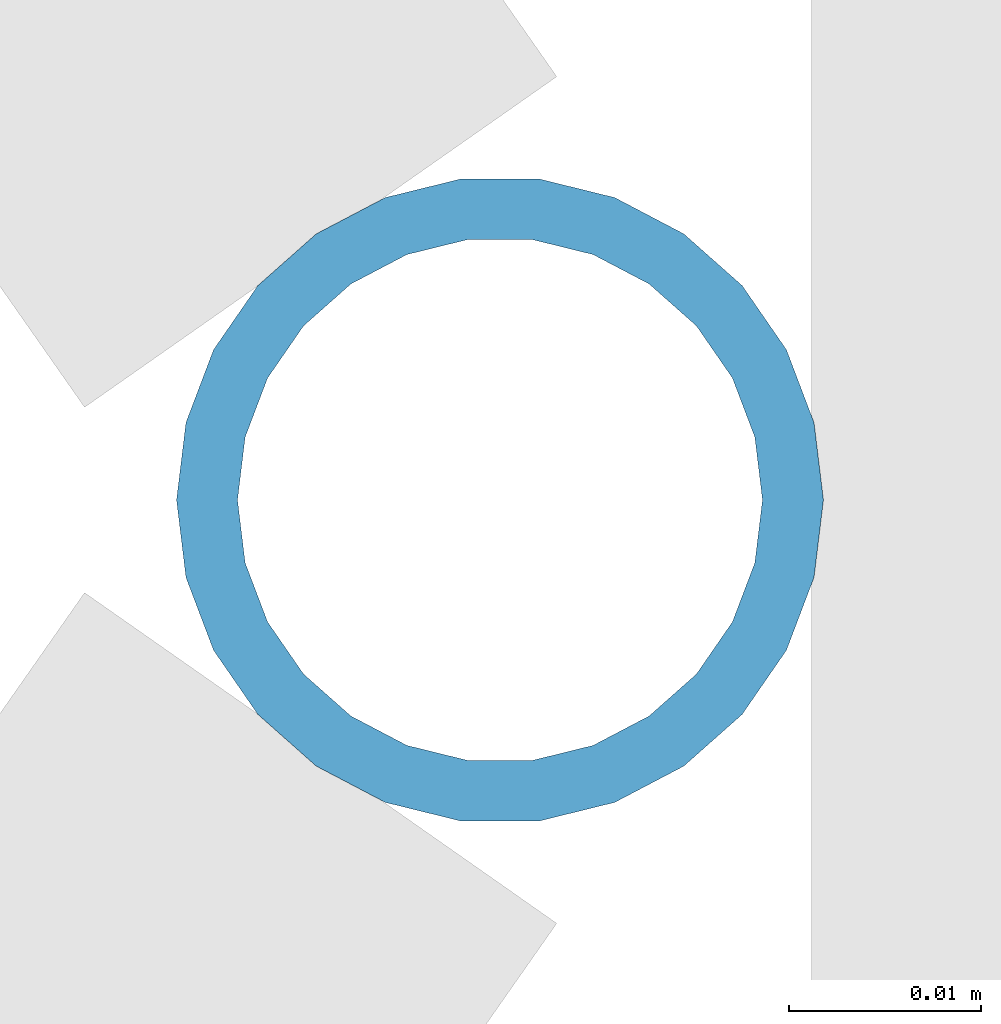
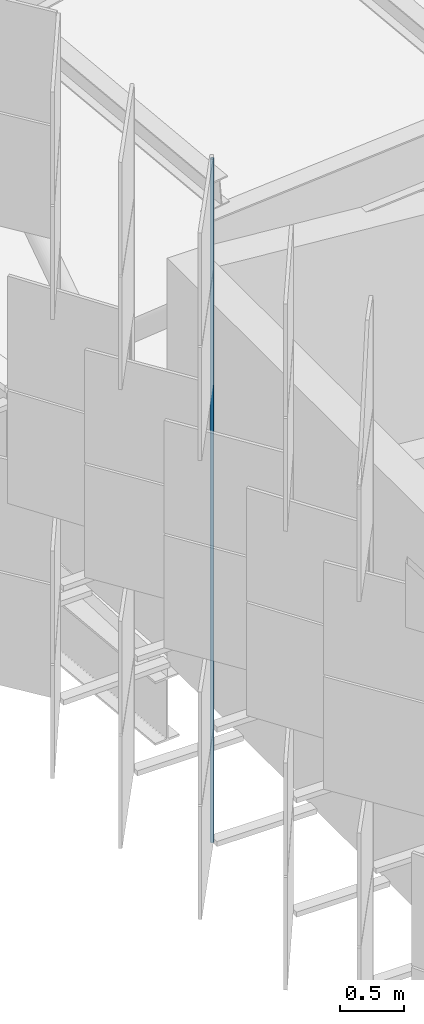
# One storey, part 198 of 483: 1 discrete accessory.
"""IFC4 building model written with IfcOpenShell, lengths in metres."""

from ifc_helpers import new_model, si_unit, direction, frame, origin, origin_2d, place, context, subcontext, project, spatial, hollow_circle, extrude, material, material_profile, profile_set, type_object, element, save


model = new_model("IFC4")

# Units and contexts
model_context = context("Model", 3, precision=1e-05, world=origin(), true_north=direction((0.0, 1.0)))
body_context = subcontext(model_context, "Body", "Model", "MODEL_VIEW")
ifc_project = project(units=[si_unit("LENGTHUNIT", "METRE"), si_unit("AREAUNIT", "SQUARE_METRE"), si_unit("VOLUMEUNIT", "CUBIC_METRE"), si_unit("PLANEANGLEUNIT", "RADIAN"), si_unit("MASSUNIT", "GRAM", prefix="KILO")], contexts=[model_context])

# Site, building, storey
site_placement = place(None, origin())
site = spatial("IfcSite", under=ifc_project, at=site_placement, CompositionType="ELEMENT")
building_placement = place(site_placement, origin())
building = spatial("IfcBuilding", under=site, at=building_placement, Name="Parallax Yard Mobility Hub", CompositionType="ELEMENT")
storey_placement = place(building_placement, frame((0.0, 0.0, 13.199951171875)))
storey = spatial("IfcBuildingStorey", under=building, at=storey_placement, Name="L04", CompositionType="ELEMENT", Elevation=13.199951171875)

# Discrete accessory
ifc_material = material(Name="Steel ASTM A500 Gr C, hot-dip galvanised", Category="steel")
ifc_material_profile = material_profile(ifc_material, hollow_circle(Radius=0.016845703125, WallThickness=0.003173828125, at=origin_2d()), Name="CHS 33.7x3.2")
ifc_profile_set = profile_set([ifc_material_profile], Name="Steel ASTM A500 Gr C, hot-dip galvanised")
discrete_accessory_type = type_object("IfcDiscreteAccessoryType", Name="Hinge post CHS 33.7x3.2", PredefinedType="BRACKET", material=ifc_profile_set)
discrete_accessory_placement = place(storey_placement, frame((194.077392578125, 87.69921875, 0.0), z_axis=(0.0, 0.0, 1.0), x_axis=(1.0, 0.0, 0.0)))
element("IfcDiscreteAccessory", 1, at=discrete_accessory_placement, inside=storey, type_object=discrete_accessory_type, Name="Hinge post bay 23.3 level L04", PredefinedType="BRACKET", context=body_context, shape_type="SweptSolid", body=[
    extrude(hollow_circle(Radius=0.016845703125, WallThickness=0.003173828125, at=origin_2d()), origin(), (0.0, 0.0, 1.0), 6.550048828125),
])

save(model, "model.ifc")
